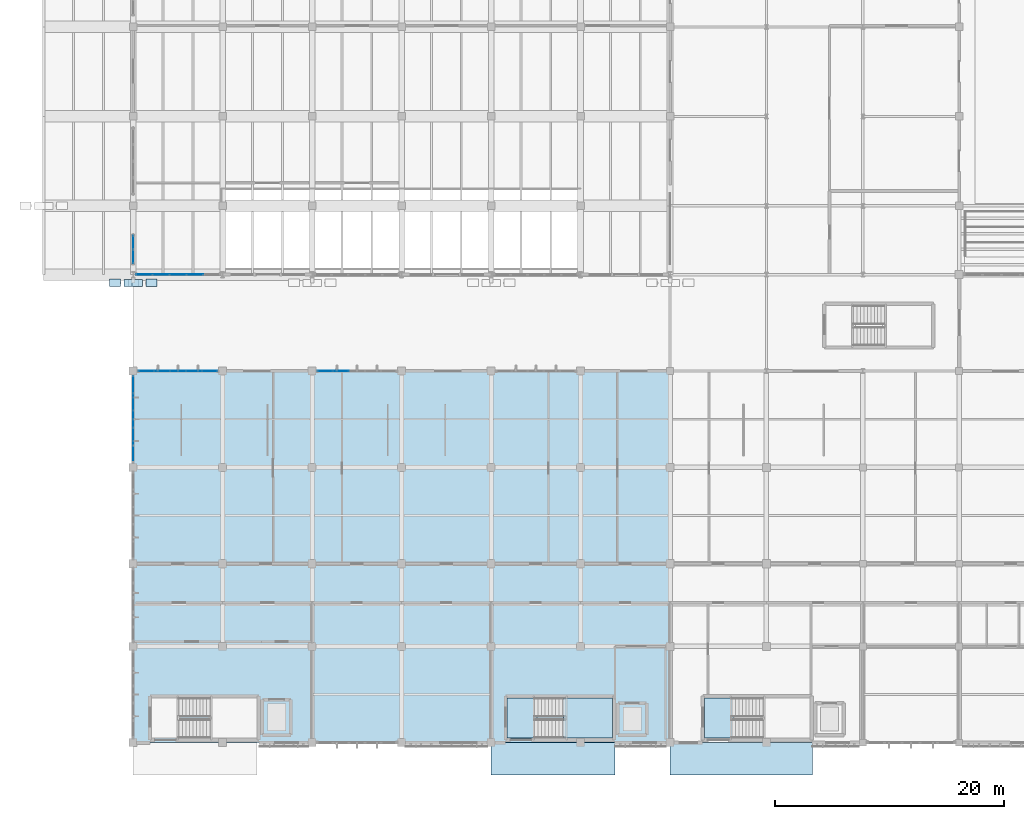
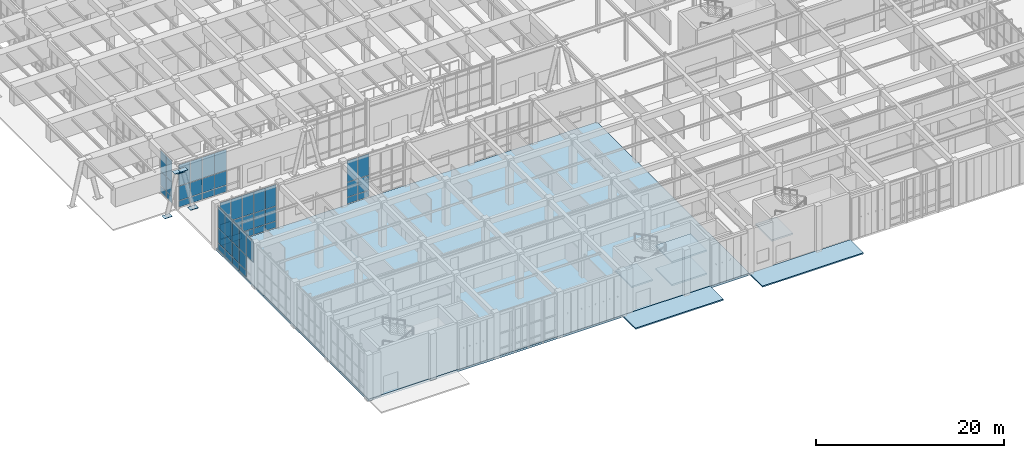
# One storey, part 58 of 110: 57 plates, 7 slabs, 7 elements without a shape of their own.
"""IFC4 building model written with IfcOpenShell, lengths in metres."""

from ifc_helpers import new_model, si_unit, direction, frame, origin, origin_2d, place, context, subcontext, project, spatial, polyline, rectangle, outline, extrude, material, layer, layer_set, type_object, element, aggregate, save


model = new_model("IFC4")

# Units and contexts
model_context = context("Model", 3, precision=1e-05, world=origin(), true_north=direction((0.0, 1.0)))
body_context = subcontext(model_context, "Body", "Model", "MODEL_VIEW")
ifc_project = project(units=[si_unit("LENGTHUNIT", "METRE"), si_unit("AREAUNIT", "SQUARE_METRE"), si_unit("VOLUMEUNIT", "CUBIC_METRE"), si_unit("PLANEANGLEUNIT", "RADIAN"), si_unit("MASSUNIT", "GRAM", prefix="KILO")], contexts=[model_context])

# Site, building, storey
site_placement = place(None, origin())
site = spatial("IfcSite", under=ifc_project, at=site_placement, CompositionType="ELEMENT")
building_placement = place(site_placement, origin())
building = spatial("IfcBuilding", under=site, at=building_placement, Name="Tizgana Railside Sports Hall", CompositionType="ELEMENT")
storey_placement = place(building_placement, origin())
storey = spatial("IfcBuildingStorey", under=building, at=storey_placement, Name="L00", CompositionType="ELEMENT", Elevation=0.0)

# Curtain wall, plates
ifc_material_1 = material(Name="Anodised aluminium and glass", Category="aluminium")
curtain_wall_type_1 = type_object("IfcCurtainWallType", Name="Unitised Curtain Wall Foyer 1300", PredefinedType="NOTDEFINED", material=ifc_material_1)
curtain_wall_1_placement = place(storey_placement, origin())
curtain_wall_1 = element("IfcCurtainWall", 1, at=curtain_wall_1_placement, inside=storey, type_object=curtain_wall_type_1, Name="L00 Curtain Wall CW-0001", PredefinedType="NOTDEFINED")
ifc_material_2 = material(Name="Double low-E laminated glass", Category="glass")
ifc_layer_1 = layer(ifc_material_2, 0.033935546875, Name="Double low-E laminated glass")
ifc_layer_set_1 = layer_set([ifc_layer_1], Name="Double low-E laminated glass")
plate_type_1 = type_object("IfcPlateType", Name="Acoustic Laminated Glazing Panel 34", PredefinedType="CURTAIN_PANEL", material=ifc_layer_set_1)
plate_1_placement = place(storey_placement, frame((13.177978515625, 40.800048828125, 0.10498046875), z_axis=(0.0, 0.0, 1.0), x_axis=(-1.0, 0.0, 0.0)))
plate_1 = element("IfcPlate", 2, at=plate_1_placement, type_object=plate_type_1, Name="CW-02 panel 2.1", PredefinedType="CURTAIN_PANEL", context=body_context, shape_type="SweptSolid", body=[
    extrude(rectangle(XDim=1.41796875, YDim=0.033935546875, at=origin_2d()), origin(), (0.0, 0.0, 1.0), 0.81005859375),
])
plate_2_placement = place(storey_placement, frame((13.177978515625, 40.800048828125, 0.97509765625), z_axis=(0.0, 0.0, 1.0), x_axis=(-1.0, 0.0, 0.0)))
plate_2 = element("IfcPlate", 3, at=plate_2_placement, type_object=plate_type_1, Name="CW-02 panel 2.2", PredefinedType="CURTAIN_PANEL", context=body_context, shape_type="SweptSolid", body=[
    extrude(rectangle(XDim=1.41796875, YDim=0.033935546875, at=origin_2d()), origin(), (0.0, 0.0, 1.0), 1.842529296875),
])
plate_3_placement = place(storey_placement, frame((13.177978515625, 40.800048828125, 2.87744140625), z_axis=(0.0, 0.0, 1.0), x_axis=(-1.0, 0.0, 0.0)))
plate_3 = element("IfcPlate", 4, at=plate_3_placement, type_object=plate_type_1, Name="CW-02 panel 2.3", PredefinedType="CURTAIN_PANEL", context=body_context, shape_type="SweptSolid", body=[
    extrude(rectangle(XDim=1.41796875, YDim=0.033935546875, at=origin_2d()), origin(), (0.0, 0.0, 1.0), 2.71240234375),
])
plate_4_placement = place(storey_placement, frame((11.699951171875, 40.800048828125, 0.10498046875), z_axis=(0.0, 0.0, 1.0), x_axis=(-1.0, 0.0, 0.0)))
plate_4 = element("IfcPlate", 5, at=plate_4_placement, type_object=plate_type_1, Name="CW-02 panel 3.1", PredefinedType="CURTAIN_PANEL", context=body_context, shape_type="SweptSolid", body=[
    extrude(rectangle(XDim=1.41796875, YDim=0.033935546875, at=origin_2d()), origin(), (0.0, 0.0, 1.0), 0.81005859375),
])
plate_5_placement = place(storey_placement, frame((11.699951171875, 40.800048828125, 0.97509765625), z_axis=(0.0, 0.0, 1.0), x_axis=(-1.0, 0.0, 0.0)))
plate_5 = element("IfcPlate", 6, at=plate_5_placement, type_object=plate_type_1, Name="CW-02 panel 3.2", PredefinedType="CURTAIN_PANEL", context=body_context, shape_type="SweptSolid", body=[
    extrude(rectangle(XDim=1.41796875, YDim=0.033935546875, at=origin_2d()), origin(), (0.0, 0.0, 1.0), 1.842529296875),
])
plate_6_placement = place(storey_placement, frame((11.699951171875, 40.800048828125, 2.87744140625), z_axis=(0.0, 0.0, 1.0), x_axis=(-1.0, 0.0, 0.0)))
plate_6 = element("IfcPlate", 7, at=plate_6_placement, type_object=plate_type_1, Name="CW-02 panel 3.3", PredefinedType="CURTAIN_PANEL", context=body_context, shape_type="SweptSolid", body=[
    extrude(rectangle(XDim=1.41796875, YDim=0.033935546875, at=origin_2d()), origin(), (0.0, 0.0, 1.0), 2.71240234375),
])
plate_7_placement = place(storey_placement, frame((10.221923828125, 40.800048828125, 0.10498046875), z_axis=(0.0, 0.0, 1.0), x_axis=(-1.0, 0.0, 0.0)))
plate_7 = element("IfcPlate", 8, at=plate_7_placement, type_object=plate_type_1, Name="CW-02 panel 4.1", PredefinedType="CURTAIN_PANEL", context=body_context, shape_type="SweptSolid", body=[
    extrude(rectangle(XDim=1.41796875, YDim=0.033935546875, at=origin_2d()), origin(), (0.0, 0.0, 1.0), 0.81005859375),
])
plate_8_placement = place(storey_placement, frame((10.221923828125, 40.800048828125, 0.97509765625), z_axis=(0.0, 0.0, 1.0), x_axis=(-1.0, 0.0, 0.0)))
plate_8 = element("IfcPlate", 9, at=plate_8_placement, type_object=plate_type_1, Name="CW-02 panel 4.2", PredefinedType="CURTAIN_PANEL", context=body_context, shape_type="SweptSolid", body=[
    extrude(rectangle(XDim=1.41796875, YDim=0.033935546875, at=origin_2d()), origin(), (0.0, 0.0, 1.0), 1.842529296875),
])
plate_9_placement = place(storey_placement, frame((10.221923828125, 40.800048828125, 2.87744140625), z_axis=(0.0, 0.0, 1.0), x_axis=(-1.0, 0.0, 0.0)))
plate_9 = element("IfcPlate", 10, at=plate_9_placement, type_object=plate_type_1, Name="CW-02 panel 4.3", PredefinedType="CURTAIN_PANEL", context=body_context, shape_type="SweptSolid", body=[
    extrude(rectangle(XDim=1.41796875, YDim=0.033935546875, at=origin_2d()), origin(), (0.0, 0.0, 1.0), 2.71240234375),
])
plate_10_placement = place(storey_placement, frame((8.759033203125, 40.800048828125, 0.10498046875), z_axis=(0.0, 0.0, 1.0), x_axis=(-1.0, 0.0, 0.0)))
plate_10 = element("IfcPlate", 11, at=plate_10_placement, type_object=plate_type_1, Name="CW-02 panel 5.1", PredefinedType="CURTAIN_PANEL", context=body_context, shape_type="SweptSolid", body=[
    extrude(rectangle(XDim=1.387939453125, YDim=0.033935546875, at=origin_2d()), origin(), (0.0, 0.0, 1.0), 0.81005859375),
])
plate_11_placement = place(storey_placement, frame((8.759033203125, 40.800048828125, 0.97509765625), z_axis=(0.0, 0.0, 1.0), x_axis=(-1.0, 0.0, 0.0)))
plate_11 = element("IfcPlate", 12, at=plate_11_placement, type_object=plate_type_1, Name="CW-02 panel 5.2", PredefinedType="CURTAIN_PANEL", context=body_context, shape_type="SweptSolid", body=[
    extrude(rectangle(XDim=1.387939453125, YDim=0.033935546875, at=origin_2d()), origin(), (0.0, 0.0, 1.0), 1.842529296875),
])
plate_12_placement = place(storey_placement, frame((8.759033203125, 40.800048828125, 2.87744140625), z_axis=(0.0, 0.0, 1.0), x_axis=(-1.0, 0.0, 0.0)))
plate_12 = element("IfcPlate", 13, at=plate_12_placement, type_object=plate_type_1, Name="CW-02 panel 5.3", PredefinedType="CURTAIN_PANEL", context=body_context, shape_type="SweptSolid", body=[
    extrude(rectangle(XDim=1.387939453125, YDim=0.033935546875, at=origin_2d()), origin(), (0.0, 0.0, 1.0), 2.71240234375),
])
aggregate(curtain_wall_1, [plate_1, plate_2, plate_3, plate_4, plate_5, plate_6, plate_7, plate_8, plate_9, plate_10, plate_11, plate_12])

curtain_wall_type_2 = type_object("IfcCurtainWallType", Name="Unitised Curtain Wall Passage 1800", PredefinedType="NOTDEFINED", material=ifc_material_1)
curtain_wall_2_placement = place(storey_placement, origin())
curtain_wall_2 = element("IfcCurtainWall", 14, at=curtain_wall_2_placement, inside=storey, type_object=curtain_wall_type_2, Name="L00 Curtain Wall CW-0085", PredefinedType="NOTDEFINED")
plate_13_placement = place(storey_placement, frame((7.800048828125, 31.220947265625, 0.10498046875), z_axis=(0.0, 0.0, 1.0), x_axis=(0.0, -1.0, 0.0)))
plate_13 = element("IfcPlate", 15, at=plate_13_placement, type_object=plate_type_1, Name="CW-06 panel 1.1", PredefinedType="CURTAIN_PANEL", context=body_context, shape_type="SweptSolid", body=[
    extrude(rectangle(XDim=1.427978515625, YDim=0.033935546875, at=origin_2d()), origin(), (0.0, 0.0, 1.0), 0.81005859375),
])
plate_14_placement = place(storey_placement, frame((7.800048828125, 31.220947265625, 0.974853515625), z_axis=(0.0, 0.0, 1.0), x_axis=(0.0, -1.0, 0.0)))
plate_14 = element("IfcPlate", 16, at=plate_14_placement, type_object=plate_type_1, Name="CW-06 panel 1.2", PredefinedType="CURTAIN_PANEL", context=body_context, shape_type="SweptSolid", body=[
    extrude(rectangle(XDim=1.427978515625, YDim=0.033935546875, at=origin_2d()), origin(), (0.0, 0.0, 1.0), 1.892578125),
])
plate_15_placement = place(storey_placement, frame((7.800048828125, 31.220947265625, 2.927734375), z_axis=(0.0, 0.0, 1.0), x_axis=(0.0, -1.0, 0.0)))
plate_15 = element("IfcPlate", 17, at=plate_15_placement, type_object=plate_type_1, Name="CW-06 panel 1.3", PredefinedType="CURTAIN_PANEL", context=body_context, shape_type="SweptSolid", body=[
    extrude(rectangle(XDim=1.427978515625, YDim=0.033935546875, at=origin_2d()), origin(), (0.0, 0.0, 1.0), 2.762451171875),
])
plate_16_placement = place(storey_placement, frame((7.800048828125, 29.718017578125, 0.10498046875), z_axis=(0.0, 0.0, 1.0), x_axis=(0.0, -1.0, 0.0)))
plate_16 = element("IfcPlate", 18, at=plate_16_placement, type_object=plate_type_1, Name="CW-06 panel 2.1", PredefinedType="CURTAIN_PANEL", context=body_context, shape_type="SweptSolid", body=[
    extrude(rectangle(XDim=1.4580078125, YDim=0.033935546875, at=origin_2d()), origin(), (0.0, 0.0, 1.0), 0.81005859375),
])
plate_17_placement = place(storey_placement, frame((7.800048828125, 29.718017578125, 0.974853515625), z_axis=(0.0, 0.0, 1.0), x_axis=(0.0, -1.0, 0.0)))
plate_17 = element("IfcPlate", 19, at=plate_17_placement, type_object=plate_type_1, Name="CW-06 panel 2.2", PredefinedType="CURTAIN_PANEL", context=body_context, shape_type="SweptSolid", body=[
    extrude(rectangle(XDim=1.4580078125, YDim=0.033935546875, at=origin_2d()), origin(), (0.0, 0.0, 1.0), 1.892578125),
])
plate_18_placement = place(storey_placement, frame((7.800048828125, 29.718017578125, 2.927734375), z_axis=(0.0, 0.0, 1.0), x_axis=(0.0, -1.0, 0.0)))
plate_18 = element("IfcPlate", 20, at=plate_18_placement, type_object=plate_type_1, Name="CW-06 panel 2.3", PredefinedType="CURTAIN_PANEL", context=body_context, shape_type="SweptSolid", body=[
    extrude(rectangle(XDim=1.4580078125, YDim=0.033935546875, at=origin_2d()), origin(), (0.0, 0.0, 1.0), 2.762451171875),
])
plate_19_placement = place(storey_placement, frame((7.800048828125, 28.199951171875, 0.10498046875), z_axis=(0.0, 0.0, 1.0), x_axis=(0.0, -1.0, 0.0)))
plate_19 = element("IfcPlate", 21, at=plate_19_placement, type_object=plate_type_1, Name="CW-06 panel 3.1", PredefinedType="CURTAIN_PANEL", context=body_context, shape_type="SweptSolid", body=[
    extrude(rectangle(XDim=1.4580078125, YDim=0.033935546875, at=origin_2d()), origin(), (0.0, 0.0, 1.0), 0.81005859375),
])
plate_20_placement = place(storey_placement, frame((7.800048828125, 28.199951171875, 0.974853515625), z_axis=(0.0, 0.0, 1.0), x_axis=(0.0, -1.0, 0.0)))
plate_20 = element("IfcPlate", 22, at=plate_20_placement, type_object=plate_type_1, Name="CW-06 panel 3.2", PredefinedType="CURTAIN_PANEL", context=body_context, shape_type="SweptSolid", body=[
    extrude(rectangle(XDim=1.4580078125, YDim=0.033935546875, at=origin_2d()), origin(), (0.0, 0.0, 1.0), 1.892578125),
])
plate_21_placement = place(storey_placement, frame((7.800048828125, 28.199951171875, 2.927734375), z_axis=(0.0, 0.0, 1.0), x_axis=(0.0, -1.0, 0.0)))
plate_21 = element("IfcPlate", 23, at=plate_21_placement, type_object=plate_type_1, Name="CW-06 panel 3.3", PredefinedType="CURTAIN_PANEL", context=body_context, shape_type="SweptSolid", body=[
    extrude(rectangle(XDim=1.4580078125, YDim=0.033935546875, at=origin_2d()), origin(), (0.0, 0.0, 1.0), 2.762451171875),
])
plate_22_placement = place(storey_placement, frame((7.800048828125, 26.681884765625, 0.10498046875), z_axis=(0.0, 0.0, 1.0), x_axis=(0.0, -1.0, 0.0)))
plate_22 = element("IfcPlate", 24, at=plate_22_placement, type_object=plate_type_1, Name="CW-06 panel 4.1", PredefinedType="CURTAIN_PANEL", context=body_context, shape_type="SweptSolid", body=[
    extrude(rectangle(XDim=1.4580078125, YDim=0.033935546875, at=origin_2d()), origin(), (0.0, 0.0, 1.0), 0.81005859375),
])
plate_23_placement = place(storey_placement, frame((7.800048828125, 26.681884765625, 0.974853515625), z_axis=(0.0, 0.0, 1.0), x_axis=(0.0, -1.0, 0.0)))
plate_23 = element("IfcPlate", 25, at=plate_23_placement, type_object=plate_type_1, Name="CW-06 panel 4.2", PredefinedType="CURTAIN_PANEL", context=body_context, shape_type="SweptSolid", body=[
    extrude(rectangle(XDim=1.4580078125, YDim=0.033935546875, at=origin_2d()), origin(), (0.0, 0.0, 1.0), 1.892578125),
])
plate_24_placement = place(storey_placement, frame((7.800048828125, 26.681884765625, 2.927734375), z_axis=(0.0, 0.0, 1.0), x_axis=(0.0, -1.0, 0.0)))
plate_24 = element("IfcPlate", 26, at=plate_24_placement, type_object=plate_type_1, Name="CW-06 panel 4.3", PredefinedType="CURTAIN_PANEL", context=body_context, shape_type="SweptSolid", body=[
    extrude(rectangle(XDim=1.4580078125, YDim=0.033935546875, at=origin_2d()), origin(), (0.0, 0.0, 1.0), 2.762451171875),
])
plate_25_placement = place(storey_placement, frame((7.800048828125, 25.178955078125, 2.927734375), z_axis=(0.0, 0.0, 1.0), x_axis=(0.0, -1.0, 0.0)))
plate_25 = element("IfcPlate", 27, at=plate_25_placement, type_object=plate_type_1, Name="CW-06 panel 5.3", PredefinedType="CURTAIN_PANEL", context=body_context, shape_type="SweptSolid", body=[
    extrude(rectangle(XDim=1.427978515625, YDim=0.033935546875, at=origin_2d()), origin(), (0.0, 0.0, 1.0), 2.762451171875),
])
aggregate(curtain_wall_2, [plate_13, plate_14, plate_15, plate_16, plate_17, plate_18, plate_19, plate_20, plate_21, plate_22, plate_23, plate_24, plate_25])

# Stair, slabs
ifc_material_3 = material(Name="Concrete C35/45", Category="concrete")
stair_type_1 = type_object("IfcStairType", Name="Tournament Court Stair 1600", PredefinedType="HALF_TURN_STAIR", material=ifc_material_3)
stair_1_placement = place(storey_placement, origin())
stair_1 = element("IfcStair", 28, at=stair_1_placement, inside=storey, type_object=stair_type_1, Name="L00 Core Stair ST-02", PredefinedType="HALF_TURN_STAIR")
ifc_layer_2 = layer(ifc_material_3, 0.199951171875, Name="Concrete C35/45")
ifc_layer_set_2 = layer_set([ifc_layer_2], Name="Concrete C35/45")
slab_type_1 = type_object("IfcSlabType", Name="Core Stair Landing Slab 200", PredefinedType="LANDING", material=ifc_layer_set_2)
slab_1_placement = place(storey_placement, frame((0.0, 0.0, 1.300048828125)))
slab_1 = element("IfcSlab", 29, at=slab_1_placement, type_object=slab_type_1, Name="ST-02 landing 1", PredefinedType="LANDING", context=body_context, shape_type="SweptSolid", body=[
    extrude(outline(polyline([(45.320068359375, 0.39990234375), (49.60009765625, 0.39990234375), (49.60009765625, 3.89990234375), (45.320068359375, 3.89990234375), (45.320068359375, 0.39990234375)])), origin(), (0.0, 0.0, 1.0), 0.199951171875),
])
slab_2_placement = place(storey_placement, frame((0.0, 0.0, 2.800048828125)))
slab_2 = element("IfcSlab", 30, at=slab_2_placement, type_object=slab_type_1, Name="ST-02 landing 2", PredefinedType="LANDING", context=body_context, shape_type="SweptSolid", body=[
    extrude(outline(polyline([(40.39990234375, 0.39990234375), (42.97998046875, 0.39990234375), (42.97998046875, 3.89990234375), (40.39990234375, 3.89990234375), (40.39990234375, 0.39990234375)])), origin(), (0.0, 0.0, 1.0), 0.199951171875),
])
slab_3_placement = place(storey_placement, frame((0.0, 0.0, 4.300048828125)))
slab_3 = element("IfcSlab", 31, at=slab_3_placement, type_object=slab_type_1, Name="ST-02 landing 3", PredefinedType="LANDING", context=body_context, shape_type="SweptSolid", body=[
    extrude(outline(polyline([(45.320068359375, 0.39990234375), (49.60009765625, 0.39990234375), (49.60009765625, 3.89990234375), (45.320068359375, 3.89990234375), (45.320068359375, 0.39990234375)])), origin(), (0.0, 0.0, 1.0), 0.199951171875),
])
aggregate(stair_1, [slab_1, slab_2, slab_3])

# Stair, slab
stair_type_2 = type_object("IfcStairType", Name="Spectator Aisle Stair 1400", PredefinedType="HALF_TURN_STAIR", material=ifc_material_3)
stair_2_placement = place(storey_placement, origin())
stair_2 = element("IfcStair", 32, at=stair_2_placement, inside=storey, type_object=stair_type_2, Name="L00 Core Stair ST-03", PredefinedType="HALF_TURN_STAIR")
slab_4_placement = place(storey_placement, frame((0.0, 0.0, 2.800048828125)))
slab_4 = element("IfcSlab", 33, at=slab_4_placement, type_object=slab_type_1, Name="ST-03 landing 2", PredefinedType="LANDING", context=body_context, shape_type="SweptSolid", body=[
    extrude(outline(polyline([(57.60009765625, 0.39990234375), (60.179931640625, 0.39990234375), (60.179931640625, 3.89990234375), (57.60009765625, 3.89990234375), (57.60009765625, 0.39990234375)])), origin(), (0.0, 0.0, 1.0), 0.199951171875),
])
aggregate(stair_2, [slab_4])

# Slabs
ifc_layer_3 = layer(ifc_material_3, 0.169921875, Name="Concrete C35/45")
ifc_layer_set_3 = layer_set([ifc_layer_3], Name="Concrete C35/45")
slab_type_2 = type_object("IfcSlabType", Name="Entrance Canopy & Apron Deck 170", PredefinedType="FLOOR", material=ifc_layer_set_3)
slab_5_placement = place(storey_placement, frame((0.0, 0.0, -0.169921875)))
element("IfcSlab", 34, at=slab_5_placement, inside=storey, type_object=slab_type_2, Name="L00 Boulevard Exit Apron 4 APR-0009", PredefinedType="FLOOR", context=body_context, shape_type="SweptSolid", body=[
    extrude(outline(polyline([(39.0, -2.800048828125), (49.800048828125, -2.800048828125), (49.800048828125, 0.0), (39.0, 0.0), (39.0, -2.800048828125)])), origin(), (0.0, 0.0, 1.0), 0.169921875),
])
slab_6_placement = place(storey_placement, frame((0.0, 0.0, -0.169921875)))
element("IfcSlab", 35, at=slab_6_placement, inside=storey, type_object=slab_type_2, Name="L00 Boulevard Exit Apron 6 APR-0010", PredefinedType="FLOOR", context=body_context, shape_type="SweptSolid", body=[
    extrude(outline(polyline([(54.60009765625, -2.800048828125), (67.0, -2.800048828125), (67.0, 0.0), (54.60009765625, 0.0), (54.60009765625, -2.800048828125)])), origin(), (0.0, 0.0, 1.0), 0.169921875),
])
ifc_layer_4 = layer(ifc_material_3, 0.2900390625, Name="Concrete C35/45")
ifc_layer_set_4 = layer_set([ifc_layer_4], Name="Concrete C35/45")
slab_type_3 = type_object("IfcSlabType", Name="Ground Bearing Wing Slab 290", PredefinedType="BASESLAB", material=ifc_layer_set_4)
slab_7_placement = place(storey_placement, frame((0.0, 0.0, -0.2900390625)))
element("IfcSlab", 36, at=slab_7_placement, inside=storey, type_object=slab_type_3, Name="L00 V5 West Ground Slab SLB-0010", PredefinedType="BASESLAB", context=body_context, shape_type="SweptSolid", body=[
    extrude(outline(polyline([(7.800048828125, 0.0), (54.60009765625, 0.0), (54.60009765625, 32.39990234375), (7.800048828125, 32.39990234375), (7.800048828125, 0.0)])), origin(), (0.0, 0.0, 1.0), 0.2900390625),
])

# Curtain wall, plates
curtain_wall_type_3 = type_object("IfcCurtainWallType", Name="Unitised Curtain Wall WestHall 1560", PredefinedType="NOTDEFINED", material=ifc_material_1)
curtain_wall_3_placement = place(storey_placement, origin())
curtain_wall_3 = element("IfcCurtainWall", 37, at=curtain_wall_3_placement, inside=storey, type_object=curtain_wall_type_3, Name="L00 Curtain Wall CW-0078", PredefinedType="NOTDEFINED")
ifc_layer_5 = layer(ifc_material_2, 0.0400390625, Name="Double low-E laminated glass")
ifc_layer_set_5 = layer_set([ifc_layer_5], Name="Double low-E laminated glass")
plate_type_2 = type_object("IfcPlateType", Name="High-Span Tempered Glazing Panel 40", PredefinedType="CURTAIN_PANEL", material=ifc_layer_set_5)
plate_26_placement = place(storey_placement, frame((8.9189453125, 32.39990234375, 0.10498046875), z_axis=(0.0, 0.0, 1.0), x_axis=(1.0, 0.0, 0.0)))
plate_26 = element("IfcPlate", 38, at=plate_26_placement, type_object=plate_type_2, Name="CW-07 panel 1.1", PredefinedType="CURTAIN_PANEL", context=body_context, shape_type="SweptSolid", body=[
    extrude(rectangle(XDim=1.30810546875, YDim=0.0400390625, at=origin_2d()), origin(), (0.0, 0.0, 1.0), 0.81005859375),
])
plate_27_placement = place(storey_placement, frame((8.9189453125, 32.39990234375, 0.974853515625), z_axis=(0.0, 0.0, 1.0), x_axis=(1.0, 0.0, 0.0)))
plate_27 = element("IfcPlate", 39, at=plate_27_placement, type_object=plate_type_2, Name="CW-07 panel 1.2", PredefinedType="CURTAIN_PANEL", context=body_context, shape_type="SweptSolid", body=[
    extrude(rectangle(XDim=1.30810546875, YDim=0.0400390625, at=origin_2d()), origin(), (0.0, 0.0, 1.0), 1.892578125),
])
plate_28_placement = place(storey_placement, frame((8.9189453125, 32.39990234375, 2.927734375), z_axis=(0.0, 0.0, 1.0), x_axis=(1.0, 0.0, 0.0)))
plate_28 = element("IfcPlate", 40, at=plate_28_placement, type_object=plate_type_2, Name="CW-07 panel 1.3", PredefinedType="CURTAIN_PANEL", context=body_context, shape_type="SweptSolid", body=[
    extrude(rectangle(XDim=1.30810546875, YDim=0.0400390625, at=origin_2d()), origin(), (0.0, 0.0, 1.0), 2.762451171875),
])
plate_29_placement = place(storey_placement, frame((10.302001953125, 32.39990234375, 0.10498046875), z_axis=(0.0, 0.0, 1.0), x_axis=(1.0, 0.0, 0.0)))
plate_29 = element("IfcPlate", 41, at=plate_29_placement, type_object=plate_type_2, Name="CW-07 panel 2.1", PredefinedType="CURTAIN_PANEL", context=body_context, shape_type="SweptSolid", body=[
    extrude(rectangle(XDim=1.337890625, YDim=0.0400390625, at=origin_2d()), origin(), (0.0, 0.0, 1.0), 0.81005859375),
])
plate_30_placement = place(storey_placement, frame((10.302001953125, 32.39990234375, 0.974853515625), z_axis=(0.0, 0.0, 1.0), x_axis=(1.0, 0.0, 0.0)))
plate_30 = element("IfcPlate", 42, at=plate_30_placement, type_object=plate_type_2, Name="CW-07 panel 2.2", PredefinedType="CURTAIN_PANEL", context=body_context, shape_type="SweptSolid", body=[
    extrude(rectangle(XDim=1.337890625, YDim=0.0400390625, at=origin_2d()), origin(), (0.0, 0.0, 1.0), 1.892578125),
])
plate_31_placement = place(storey_placement, frame((10.302001953125, 32.39990234375, 2.927734375), z_axis=(0.0, 0.0, 1.0), x_axis=(1.0, 0.0, 0.0)))
plate_31 = element("IfcPlate", 43, at=plate_31_placement, type_object=plate_type_2, Name="CW-07 panel 2.3", PredefinedType="CURTAIN_PANEL", context=body_context, shape_type="SweptSolid", body=[
    extrude(rectangle(XDim=1.337890625, YDim=0.0400390625, at=origin_2d()), origin(), (0.0, 0.0, 1.0), 2.762451171875),
])
plate_32_placement = place(storey_placement, frame((11.699951171875, 32.39990234375, 0.10498046875), z_axis=(0.0, 0.0, 1.0), x_axis=(1.0, 0.0, 0.0)))
plate_32 = element("IfcPlate", 44, at=plate_32_placement, type_object=plate_type_2, Name="CW-07 panel 3.1", PredefinedType="CURTAIN_PANEL", context=body_context, shape_type="SweptSolid", body=[
    extrude(rectangle(XDim=1.337890625, YDim=0.0400390625, at=origin_2d()), origin(), (0.0, 0.0, 1.0), 0.81005859375),
])
plate_33_placement = place(storey_placement, frame((11.699951171875, 32.39990234375, 0.974853515625), z_axis=(0.0, 0.0, 1.0), x_axis=(1.0, 0.0, 0.0)))
plate_33 = element("IfcPlate", 45, at=plate_33_placement, type_object=plate_type_2, Name="CW-07 panel 3.2", PredefinedType="CURTAIN_PANEL", context=body_context, shape_type="SweptSolid", body=[
    extrude(rectangle(XDim=1.337890625, YDim=0.0400390625, at=origin_2d()), origin(), (0.0, 0.0, 1.0), 1.892578125),
])
plate_34_placement = place(storey_placement, frame((11.699951171875, 32.39990234375, 2.927734375), z_axis=(0.0, 0.0, 1.0), x_axis=(1.0, 0.0, 0.0)))
plate_34 = element("IfcPlate", 46, at=plate_34_placement, type_object=plate_type_2, Name="CW-07 panel 3.3", PredefinedType="CURTAIN_PANEL", context=body_context, shape_type="SweptSolid", body=[
    extrude(rectangle(XDim=1.337890625, YDim=0.0400390625, at=origin_2d()), origin(), (0.0, 0.0, 1.0), 2.762451171875),
])
plate_35_placement = place(storey_placement, frame((13.097900390625, 32.39990234375, 0.10498046875), z_axis=(0.0, 0.0, 1.0), x_axis=(1.0, 0.0, 0.0)))
plate_35 = element("IfcPlate", 47, at=plate_35_placement, type_object=plate_type_2, Name="CW-07 panel 4.1", PredefinedType="CURTAIN_PANEL", context=body_context, shape_type="SweptSolid", body=[
    extrude(rectangle(XDim=1.337890625, YDim=0.0400390625, at=origin_2d()), origin(), (0.0, 0.0, 1.0), 0.81005859375),
])
plate_36_placement = place(storey_placement, frame((13.097900390625, 32.39990234375, 0.974853515625), z_axis=(0.0, 0.0, 1.0), x_axis=(1.0, 0.0, 0.0)))
plate_36 = element("IfcPlate", 48, at=plate_36_placement, type_object=plate_type_2, Name="CW-07 panel 4.2", PredefinedType="CURTAIN_PANEL", context=body_context, shape_type="SweptSolid", body=[
    extrude(rectangle(XDim=1.337890625, YDim=0.0400390625, at=origin_2d()), origin(), (0.0, 0.0, 1.0), 1.892578125),
])
plate_37_placement = place(storey_placement, frame((13.097900390625, 32.39990234375, 2.927734375), z_axis=(0.0, 0.0, 1.0), x_axis=(1.0, 0.0, 0.0)))
plate_37 = element("IfcPlate", 49, at=plate_37_placement, type_object=plate_type_2, Name="CW-07 panel 4.3", PredefinedType="CURTAIN_PANEL", context=body_context, shape_type="SweptSolid", body=[
    extrude(rectangle(XDim=1.337890625, YDim=0.0400390625, at=origin_2d()), origin(), (0.0, 0.0, 1.0), 2.762451171875),
])
plate_38_placement = place(storey_placement, frame((14.48095703125, 32.39990234375, 0.10498046875), z_axis=(0.0, 0.0, 1.0), x_axis=(1.0, 0.0, 0.0)))
plate_38 = element("IfcPlate", 50, at=plate_38_placement, type_object=plate_type_2, Name="CW-07 panel 5.1", PredefinedType="CURTAIN_PANEL", context=body_context, shape_type="SweptSolid", body=[
    extrude(rectangle(XDim=1.30810546875, YDim=0.0400390625, at=origin_2d()), origin(), (0.0, 0.0, 1.0), 0.81005859375),
])
plate_39_placement = place(storey_placement, frame((14.48095703125, 32.39990234375, 0.974853515625), z_axis=(0.0, 0.0, 1.0), x_axis=(1.0, 0.0, 0.0)))
plate_39 = element("IfcPlate", 51, at=plate_39_placement, type_object=plate_type_2, Name="CW-07 panel 5.2", PredefinedType="CURTAIN_PANEL", context=body_context, shape_type="SweptSolid", body=[
    extrude(rectangle(XDim=1.30810546875, YDim=0.0400390625, at=origin_2d()), origin(), (0.0, 0.0, 1.0), 1.892578125),
])
plate_40_placement = place(storey_placement, frame((14.48095703125, 32.39990234375, 2.927734375), z_axis=(0.0, 0.0, 1.0), x_axis=(1.0, 0.0, 0.0)))
plate_40 = element("IfcPlate", 52, at=plate_40_placement, type_object=plate_type_2, Name="CW-07 panel 5.3", PredefinedType="CURTAIN_PANEL", context=body_context, shape_type="SweptSolid", body=[
    extrude(rectangle(XDim=1.30810546875, YDim=0.0400390625, at=origin_2d()), origin(), (0.0, 0.0, 1.0), 2.762451171875),
])
aggregate(curtain_wall_3, [plate_26, plate_27, plate_28, plate_29, plate_30, plate_31, plate_32, plate_33, plate_34, plate_35, plate_36, plate_37, plate_38, plate_39, plate_40])

curtain_wall_type_4 = type_object("IfcCurtainWallType", Name="Unitised Curtain Wall EastHall 1500", PredefinedType="NOTDEFINED", material=ifc_material_1)
curtain_wall_4_placement = place(storey_placement, origin())
curtain_wall_4 = element("IfcCurtainWall", 53, at=curtain_wall_4_placement, inside=storey, type_object=curtain_wall_type_4, Name="L00 Curtain Wall CW-0079", PredefinedType="NOTDEFINED")
ifc_layer_6 = layer(ifc_material_2, 0.031982421875, Name="Double low-E laminated glass")
ifc_layer_set_6 = layer_set([ifc_layer_6], Name="Double low-E laminated glass")
plate_type_3 = type_object("IfcPlateType", Name="North-Light Clerestory Glazing Panel 32", PredefinedType="CURTAIN_PANEL", material=ifc_layer_set_6)
plate_41_placement = place(storey_placement, frame((24.51904296875, 32.39990234375, 0.10498046875), z_axis=(0.0, 0.0, 1.0), x_axis=(1.0, 0.0, 0.0)))
plate_41 = element("IfcPlate", 54, at=plate_41_placement, type_object=plate_type_3, Name="CW-08 panel 1.1", PredefinedType="CURTAIN_PANEL", context=body_context, shape_type="SweptSolid", body=[
    extrude(rectangle(XDim=1.30810546875, YDim=0.031982421875, at=origin_2d()), origin(), (0.0, 0.0, 1.0), 0.81005859375),
])
plate_42_placement = place(storey_placement, frame((24.51904296875, 32.39990234375, 0.974853515625), z_axis=(0.0, 0.0, 1.0), x_axis=(1.0, 0.0, 0.0)))
plate_42 = element("IfcPlate", 55, at=plate_42_placement, type_object=plate_type_3, Name="CW-08 panel 1.2", PredefinedType="CURTAIN_PANEL", context=body_context, shape_type="SweptSolid", body=[
    extrude(rectangle(XDim=1.30810546875, YDim=0.031982421875, at=origin_2d()), origin(), (0.0, 0.0, 1.0), 1.892578125),
])
plate_43_placement = place(storey_placement, frame((24.51904296875, 32.39990234375, 2.927734375), z_axis=(0.0, 0.0, 1.0), x_axis=(1.0, 0.0, 0.0)))
plate_43 = element("IfcPlate", 56, at=plate_43_placement, type_object=plate_type_3, Name="CW-08 panel 1.3", PredefinedType="CURTAIN_PANEL", context=body_context, shape_type="SweptSolid", body=[
    extrude(rectangle(XDim=1.30810546875, YDim=0.031982421875, at=origin_2d()), origin(), (0.0, 0.0, 1.0), 2.762451171875),
])
plate_44_placement = place(storey_placement, frame((25.902099609375, 32.39990234375, 0.10498046875), z_axis=(0.0, 0.0, 1.0), x_axis=(1.0, 0.0, 0.0)))
plate_44 = element("IfcPlate", 57, at=plate_44_placement, type_object=plate_type_3, Name="CW-08 panel 2.1", PredefinedType="CURTAIN_PANEL", context=body_context, shape_type="SweptSolid", body=[
    extrude(rectangle(XDim=1.337890625, YDim=0.031982421875, at=origin_2d()), origin(), (0.0, 0.0, 1.0), 0.81005859375),
])
plate_45_placement = place(storey_placement, frame((25.902099609375, 32.39990234375, 0.974853515625), z_axis=(0.0, 0.0, 1.0), x_axis=(1.0, 0.0, 0.0)))
plate_45 = element("IfcPlate", 58, at=plate_45_placement, type_object=plate_type_3, Name="CW-08 panel 2.2", PredefinedType="CURTAIN_PANEL", context=body_context, shape_type="SweptSolid", body=[
    extrude(rectangle(XDim=1.337890625, YDim=0.031982421875, at=origin_2d()), origin(), (0.0, 0.0, 1.0), 1.892578125),
])
plate_46_placement = place(storey_placement, frame((25.902099609375, 32.39990234375, 2.927734375), z_axis=(0.0, 0.0, 1.0), x_axis=(1.0, 0.0, 0.0)))
plate_46 = element("IfcPlate", 59, at=plate_46_placement, type_object=plate_type_3, Name="CW-08 panel 2.3", PredefinedType="CURTAIN_PANEL", context=body_context, shape_type="SweptSolid", body=[
    extrude(rectangle(XDim=1.337890625, YDim=0.031982421875, at=origin_2d()), origin(), (0.0, 0.0, 1.0), 2.762451171875),
])
aggregate(curtain_wall_4, [plate_41, plate_42, plate_43, plate_44, plate_45, plate_46])

curtain_wall_type_5 = type_object("IfcCurtainWallType", Name="Unitised Curtain Wall Clinic 1200", PredefinedType="NOTDEFINED", material=ifc_material_1)
curtain_wall_5_placement = place(storey_placement, origin())
curtain_wall_5 = element("IfcCurtainWall", 60, at=curtain_wall_5_placement, inside=storey, type_object=curtain_wall_type_5, Name="L00 Curtain Wall CW-0004", PredefinedType="NOTDEFINED")
ifc_layer_7 = layer(ifc_material_2, 0.028076171875, Name="Double low-E laminated glass")
ifc_layer_set_7 = layer_set([ifc_layer_7], Name="Double low-E laminated glass")
plate_type_4 = type_object("IfcPlateType", Name="Solar Low-E Glazing Panel 28", PredefinedType="CURTAIN_PANEL", material=ifc_layer_set_7)
plate_47_placement = place(storey_placement, frame((7.800048828125, 43.617431640625, 0.114990234375), z_axis=(0.0, 0.0, 1.0), x_axis=(0.0, -1.0, 0.0)))
plate_47 = element("IfcPlate", 61, at=plate_47_placement, type_object=plate_type_4, Name="CW-05 panel 1.1", PredefinedType="CURTAIN_PANEL", context=body_context, shape_type="SweptSolid", body=[
    extrude(rectangle(XDim=1.1650390625, YDim=0.028076171875, at=origin_2d()), origin(), (0.0, 0.0, 1.0), 0.794921875),
])
plate_48_placement = place(storey_placement, frame((7.800048828125, 43.617431640625, 0.97998046875), z_axis=(0.0, 0.0, 1.0), x_axis=(0.0, -1.0, 0.0)))
plate_48 = element("IfcPlate", 62, at=plate_48_placement, type_object=plate_type_4, Name="CW-05 panel 1.2", PredefinedType="CURTAIN_PANEL", context=body_context, shape_type="SweptSolid", body=[
    extrude(rectangle(XDim=1.1650390625, YDim=0.028076171875, at=origin_2d()), origin(), (0.0, 0.0, 1.0), 1.83251953125),
])
plate_49_placement = place(storey_placement, frame((7.800048828125, 43.617431640625, 2.88232421875), z_axis=(0.0, 0.0, 1.0), x_axis=(0.0, -1.0, 0.0)))
plate_49 = element("IfcPlate", 63, at=plate_49_placement, type_object=plate_type_4, Name="CW-05 panel 1.3", PredefinedType="CURTAIN_PANEL", context=body_context, shape_type="SweptSolid", body=[
    extrude(rectangle(XDim=1.1650390625, YDim=0.028076171875, at=origin_2d()), origin(), (0.0, 0.0, 1.0), 2.697509765625),
])
plate_50_placement = place(storey_placement, frame((7.800048828125, 42.382568359375, 0.114990234375), z_axis=(0.0, 0.0, 1.0), x_axis=(0.0, -1.0, 0.0)))
plate_50 = element("IfcPlate", 64, at=plate_50_placement, type_object=plate_type_4, Name="CW-05 panel 2.1", PredefinedType="CURTAIN_PANEL", context=body_context, shape_type="SweptSolid", body=[
    extrude(rectangle(XDim=1.1650390625, YDim=0.028076171875, at=origin_2d()), origin(), (0.0, 0.0, 1.0), 0.794921875),
])
plate_51_placement = place(storey_placement, frame((7.800048828125, 42.382568359375, 0.97998046875), z_axis=(0.0, 0.0, 1.0), x_axis=(0.0, -1.0, 0.0)))
plate_51 = element("IfcPlate", 65, at=plate_51_placement, type_object=plate_type_4, Name="CW-05 panel 2.2", PredefinedType="CURTAIN_PANEL", context=body_context, shape_type="SweptSolid", body=[
    extrude(rectangle(XDim=1.1650390625, YDim=0.028076171875, at=origin_2d()), origin(), (0.0, 0.0, 1.0), 1.83251953125),
])
plate_52_placement = place(storey_placement, frame((7.800048828125, 42.382568359375, 2.88232421875), z_axis=(0.0, 0.0, 1.0), x_axis=(0.0, -1.0, 0.0)))
plate_52 = element("IfcPlate", 66, at=plate_52_placement, type_object=plate_type_4, Name="CW-05 panel 2.3", PredefinedType="CURTAIN_PANEL", context=body_context, shape_type="SweptSolid", body=[
    extrude(rectangle(XDim=1.1650390625, YDim=0.028076171875, at=origin_2d()), origin(), (0.0, 0.0, 1.0), 2.697509765625),
])
aggregate(curtain_wall_5, [plate_47, plate_48, plate_49, plate_50, plate_51, plate_52])

# Plates
ifc_material_4 = material(Name="Steel S355J2", Category="steel")
ifc_layer_8 = layer(ifc_material_4, 0.0419921875, Name="Steel S355J2")
ifc_layer_set_8 = layer_set([ifc_layer_8], Name="Steel S355J2")
plate_type_5 = type_object("IfcPlateType", Name="V-Column Apex Node Plate 920x620x42", PredefinedType="USERDEFINED", material=ifc_layer_set_8)
for number, where, z_axis, x_axis, name in (
    (67, (7.4599609375, 40.080078125, 5.35888671875), (0.0, 0.0, 1.0), (1.0, 0.0, 0.0), "L00 V-Leg Apex Cap Plate"),
    (68, (8.139892578125, 40.080078125, 5.35888671875), (0.0, 0.0, 1.0), (1.0, 0.0, 0.0), "L00 V-Leg Apex Cap Plate"),
    (69, (7.800048828125, 40.080078125, 5.22900390625), (0.0, 0.0, 1.0), (1.0, 0.0, 0.0), "L00 PLT-0003"),
):
    element("IfcPlate", number, at=place(storey_placement, frame(where, z_axis=z_axis, x_axis=x_axis)), inside=storey, type_object=plate_type_5, Name=name, ObjectType="GUSSET_PLATE", PredefinedType="USERDEFINED", context=body_context, shape_type="SweptSolid", body=[
        extrude(rectangle(XDim=0.919921875, YDim=0.6201171875, at=origin_2d()), origin(), (0.0, 0.0, 1.0), 0.0419921875),
    ])
ifc_layer_9 = layer(ifc_material_4, 0.044921875, Name="Steel S355J2")
ifc_layer_set_9 = layer_set([ifc_layer_9], Name="Steel S355J2")
plate_type_6 = type_object("IfcPlateType", Name="V-Column Base Plate 950x650x45", PredefinedType="USERDEFINED", material=ifc_layer_set_9)
for number, where, z_axis, x_axis, name in (
    (70, (6.205078125, 40.080078125, 0.0), (0.0, 0.0, 1.0), (1.0, 0.0, 0.0), "L00 PLT-0001"),
    (71, (9.39501953125, 40.080078125, 0.0), (0.0, 0.0, 1.0), (1.0, 0.0, 0.0), "L00 PLT-0002"),
):
    element("IfcPlate", number, at=place(storey_placement, frame(where, z_axis=z_axis, x_axis=x_axis)), inside=storey, type_object=plate_type_6, Name=name, ObjectType="BASE_PLATE", PredefinedType="USERDEFINED", context=body_context, shape_type="SweptSolid", body=[
        extrude(rectangle(XDim=0.949951171875, YDim=0.64990234375, at=origin_2d()), origin(), (0.0, 0.0, 1.0), 0.044921875),
    ])

save(model, "model.ifc")
